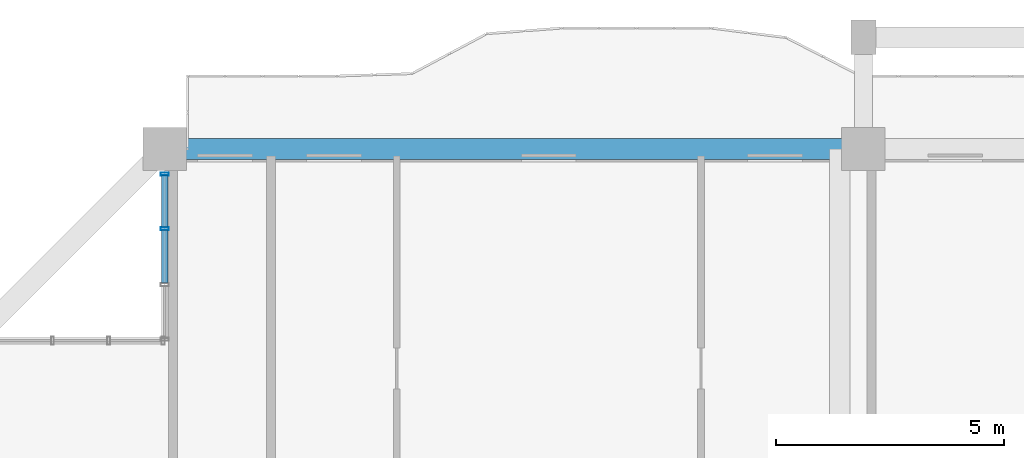
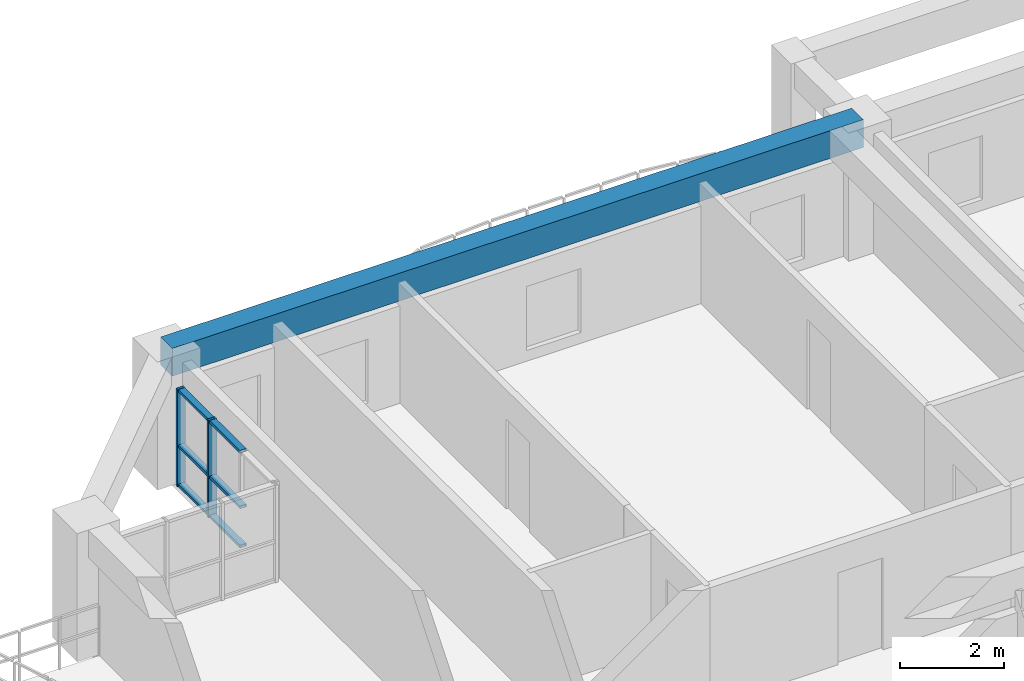
# One storey, part 8 of 25: 8 members, 1 beam, 1 element without a shape of its own.
"""IFC4 building model written with IfcOpenShell, lengths in metres."""

from ifc_helpers import new_model, si_unit, direction, frame, origin, origin_2d, place, context, subcontext, project, spatial, rectangle, hollow_rectangle, extrude, source, transform, mapped, material, layer, layer_set, material_profile, profile_set, type_object, element, aggregate, save


model = new_model("IFC4")

# Units and contexts
model_context = context("Model", 3, precision=1e-05, world=origin(), true_north=direction((0.0, 1.0)))
body_context = subcontext(model_context, "Body", "Model", "MODEL_VIEW")
ifc_project = project(units=[si_unit("LENGTHUNIT", "METRE"), si_unit("AREAUNIT", "SQUARE_METRE"), si_unit("VOLUMEUNIT", "CUBIC_METRE"), si_unit("PLANEANGLEUNIT", "RADIAN"), si_unit("MASSUNIT", "GRAM", prefix="KILO")], contexts=[model_context])

# Site, building, storey
site_placement = place(None, origin())
site = spatial("IfcSite", under=ifc_project, at=site_placement, CompositionType="ELEMENT")
building_placement = place(site_placement, origin())
building = spatial("IfcBuilding", under=site, at=building_placement, Name="Saelheon Loggia Tower", CompositionType="ELEMENT")
storey_placement = place(building_placement, frame((0.0, 0.0, 80.85009765625)))
storey = spatial("IfcBuildingStorey", under=building, at=storey_placement, Name="L25", CompositionType="ELEMENT", Elevation=80.85009765625)

# Beam
ifc_material_1 = material(Name="Concrete C40/50", Category="concrete")
ifc_material_profile_1 = material_profile(ifc_material_1, rectangle(XDim=0.449951171875, YDim=0.64990234375, at=origin_2d()), Name="RC-450x650")
ifc_profile_set_1 = profile_set([ifc_material_profile_1], Name="Concrete C40/50")
beam_type = type_object("IfcBeamType", Name="Beam_PerimTower_RC450x650", PredefinedType="BEAM", material=ifc_profile_set_1)
shared_shape_1 = source(origin(), body_context, "Body", "SweptSolid", [
    extrude(rectangle(XDim=0.449951171875, YDim=0.64990234375, at=origin_2d()), origin(), (0.0, 0.0, 1.0), 15.300048828125),
])
beam_placement = place(storey_placement, frame((31.5, 51.0, 2.6748046875), z_axis=(-1.0, 0.0, 0.0), x_axis=(0.0, -1.0, 0.0)))
element("IfcBeam", 1, at=beam_placement, inside=storey, type_object=beam_type, Name="L25 Perimeter Frame Girder 11", PredefinedType="BEAM", context=body_context, shape_type="MappedRepresentation", body=[
    mapped(shared_shape_1, transform((0.0, 0.0, 0.0), scale=1.0)),
])

# Curtain wall, members
ifc_material_2 = material(Name="Thermal-Break Aluminium and Triple Low-E Glass", Category="aluminium")
ifc_layer = layer(ifc_material_2, 0.159912109375)
ifc_layer_set = layer_set([ifc_layer], Name="Thermal-Break Aluminium and Triple Low-E Glass")
curtain_wall_type = type_object("IfcCurtainWallType", Name="CW_TowerLoggiaLow", PredefinedType="NOTDEFINED", material=ifc_layer_set)
curtain_wall_placement = place(storey_placement, origin())
curtain_wall = element("IfcCurtainWall", 2, at=curtain_wall_placement, inside=storey, type_object=curtain_wall_type, Name="L25 Corner Notch Glazing NW1", PredefinedType="NOTDEFINED")
ifc_material_3 = material(Name="Anodised Aluminium 6063-T6", Category="aluminium")
ifc_material_profile_2 = material_profile(ifc_material_3, hollow_rectangle(XDim=0.06494140625, YDim=0.179931640625, WallThickness=0.00390625, at=origin_2d()), Name="RHS-180x65x4")
ifc_profile_set_2 = profile_set([ifc_material_profile_2], Name="Anodised Aluminium 6063-T6")
member_type_1 = type_object("IfcMemberType", Name="CW_TowerLoggiaLow_Mullion", PredefinedType="MULLION", material=ifc_profile_set_2)
shared_shape_2 = source(origin(), body_context, "Body", "SweptSolid", [
    extrude(hollow_rectangle(XDim=0.06494140625, YDim=0.179931640625, WallThickness=0.00390625, at=origin_2d()), origin(), (0.0, 0.0, 1.0), 2.27978515625),
])
member_1_placement = place(storey_placement, frame((16.199951171875, 49.256591796875, 0.0), z_axis=(0.0, 0.0, 1.0), x_axis=(0.0, 1.0, 0.0)))
member_1 = element("IfcMember", 3, at=member_1_placement, type_object=member_type_1, Name="CW3 mullion 3", PredefinedType="MULLION", context=body_context, shape_type="MappedRepresentation", body=[
    mapped(shared_shape_2, transform((0.0, 0.0, 0.0), scale=1.0)),
])
member_2_placement = place(storey_placement, frame((16.199951171875, 50.452392578125, 0.0), z_axis=(0.0, 0.0, 1.0), x_axis=(0.0, 1.0, 0.0)))
member_2 = element("IfcMember", 4, at=member_2_placement, type_object=member_type_1, Name="CW3 mullion 4", PredefinedType="MULLION", context=body_context, shape_type="MappedRepresentation", body=[
    mapped(shared_shape_2, transform((0.0, 0.0, 0.0), scale=1.0)),
])
ifc_material_profile_3 = material_profile(ifc_material_3, hollow_rectangle(XDim=0.06494140625, YDim=0.139892578125, WallThickness=0.00390625, at=origin_2d()), Name="RHS-140x65x4")
ifc_profile_set_3 = profile_set([ifc_material_profile_3], Name="Anodised Aluminium 6063-T6")
member_type_2 = type_object("IfcMemberType", Name="CW_TowerLoggiaLow_Transom", PredefinedType="USERDEFINED", material=ifc_profile_set_3)
shared_shape_3 = source(origin(), body_context, "Body", "SweptSolid", [
    extrude(hollow_rectangle(XDim=0.06494140625, YDim=0.139892578125, WallThickness=0.00390625, at=origin_2d()), origin(), (0.0, 0.0, 1.0), 1.130859375),
])
member_3_placement = place(storey_placement, frame((16.199951171875, 49.2890625, 0.032470703125), z_axis=(0.0, 1.0, 0.0), x_axis=(0.0, 0.0, 1.0)))
member_3 = element("IfcMember", 5, at=member_3_placement, type_object=member_type_2, Name="CW3 transom 3.1", ObjectType="TRANSOM", PredefinedType="USERDEFINED", context=body_context, shape_type="MappedRepresentation", body=[
    mapped(shared_shape_3, transform((0.0, 0.0, 0.0), scale=1.0)),
])
member_4_placement = place(storey_placement, frame((16.199951171875, 49.2890625, 0.949951171875), z_axis=(0.0, 1.0, 0.0), x_axis=(0.0, 0.0, 1.0)))
member_4 = element("IfcMember", 6, at=member_4_placement, type_object=member_type_2, Name="CW3 transom 3.2", ObjectType="TRANSOM", PredefinedType="USERDEFINED", context=body_context, shape_type="MappedRepresentation", body=[
    mapped(shared_shape_3, transform((0.0, 0.0, 0.0), scale=1.0)),
])
member_5_placement = place(storey_placement, frame((16.199951171875, 49.2890625, 2.247314453125), z_axis=(0.0, 1.0, 0.0), x_axis=(0.0, 0.0, 1.0)))
member_5 = element("IfcMember", 7, at=member_5_placement, type_object=member_type_2, Name="CW3 transom 3.3", ObjectType="TRANSOM", PredefinedType="USERDEFINED", context=body_context, shape_type="MappedRepresentation", body=[
    mapped(shared_shape_3, transform((0.0, 0.0, 0.0), scale=1.0)),
])
shared_shape_4 = source(origin(), body_context, "Body", "SweptSolid", [
    extrude(hollow_rectangle(XDim=0.06494140625, YDim=0.139892578125, WallThickness=0.00390625, at=origin_2d()), origin(), (0.0, 0.0, 1.0), 1.163330078125),
])
member_6_placement = place(storey_placement, frame((16.199951171875, 48.060791015625, 0.032470703125), z_axis=(0.0, 1.0, 0.0), x_axis=(0.0, 0.0, 1.0)))
member_6 = element("IfcMember", 8, at=member_6_placement, type_object=member_type_2, Name="CW3 transom 2.1", ObjectType="TRANSOM", PredefinedType="USERDEFINED", context=body_context, shape_type="MappedRepresentation", body=[
    mapped(shared_shape_4, transform((0.0, 0.0, 0.0), scale=1.0)),
])
member_7_placement = place(storey_placement, frame((16.199951171875, 48.060791015625, 0.949951171875), z_axis=(0.0, 1.0, 0.0), x_axis=(0.0, 0.0, 1.0)))
member_7 = element("IfcMember", 9, at=member_7_placement, type_object=member_type_2, Name="CW3 transom 2.2", ObjectType="TRANSOM", PredefinedType="USERDEFINED", context=body_context, shape_type="MappedRepresentation", body=[
    mapped(shared_shape_4, transform((0.0, 0.0, 0.0), scale=1.0)),
])
member_8_placement = place(storey_placement, frame((16.199951171875, 48.060791015625, 2.247314453125), z_axis=(0.0, 1.0, 0.0), x_axis=(0.0, 0.0, 1.0)))
member_8 = element("IfcMember", 10, at=member_8_placement, type_object=member_type_2, Name="CW3 transom 2.3", ObjectType="TRANSOM", PredefinedType="USERDEFINED", context=body_context, shape_type="MappedRepresentation", body=[
    mapped(shared_shape_4, transform((0.0, 0.0, 0.0), scale=1.0)),
])
aggregate(curtain_wall, [member_1, member_2, member_6, member_7, member_8, member_3, member_4, member_5])

save(model, "model.ifc")
